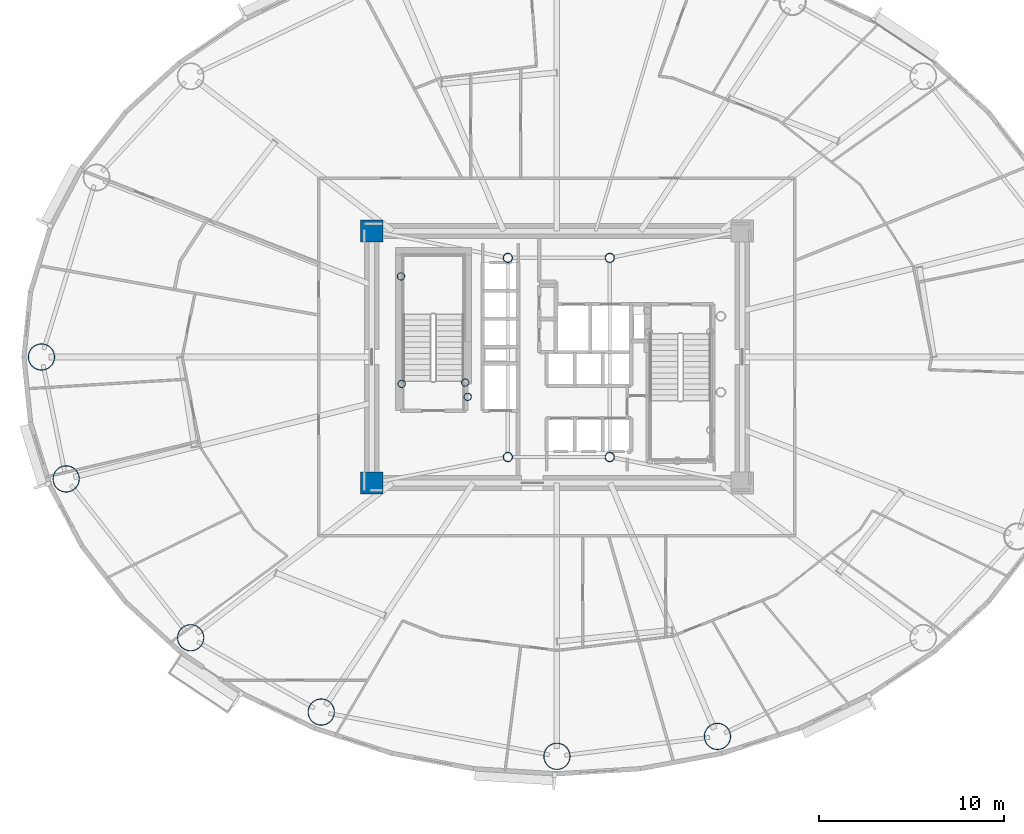
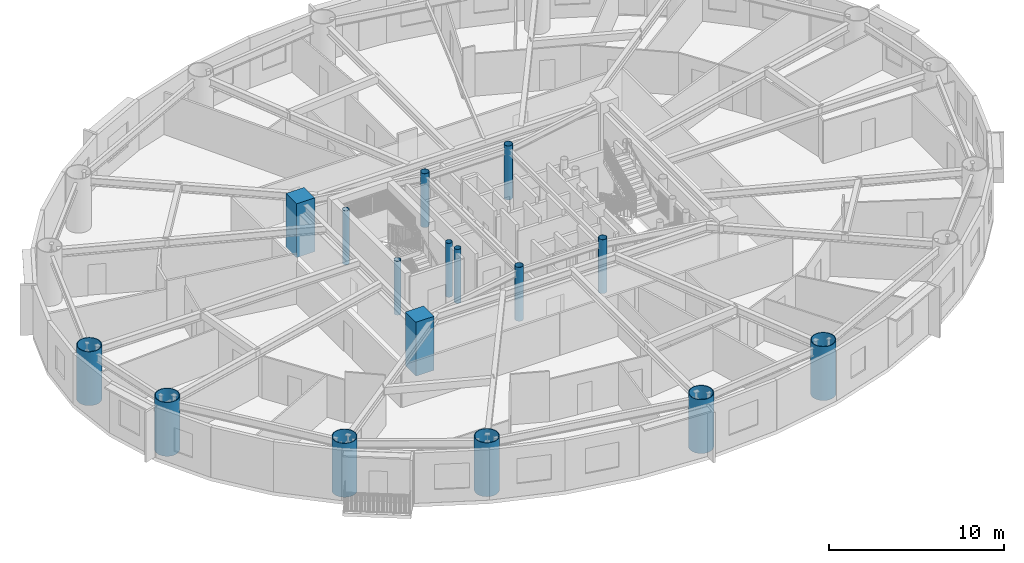
# One storey, part 1 of 22: 16 columns.
"""IFC4 building model written with IfcOpenShell, lengths in metres."""

from ifc_helpers import new_model, si_unit, direction, frame, origin, origin_2d, place, context, subcontext, project, spatial, rectangle, hollow_circle, extrude, material, material_profile, profile_set, type_object, element, save


model = new_model("IFC4")

# Units and contexts
model_context = context("Model", 3, precision=1e-05, world=origin(), true_north=direction((0.0, 1.0)))
body_context = subcontext(model_context, "Body", "Model", "MODEL_VIEW")
ifc_project = project(units=[si_unit("LENGTHUNIT", "METRE"), si_unit("AREAUNIT", "SQUARE_METRE"), si_unit("VOLUMEUNIT", "CUBIC_METRE"), si_unit("PLANEANGLEUNIT", "RADIAN"), si_unit("MASSUNIT", "GRAM", prefix="KILO")], contexts=[model_context])

# Site, building, storey
site_placement = place(None, origin())
site = spatial("IfcSite", under=ifc_project, at=site_placement, CompositionType="ELEMENT")
building_placement = place(site_placement, origin())
building = spatial("IfcBuilding", under=site, at=building_placement, Name="Linh Dai School and Residence Tower", CompositionType="ELEMENT")
storey_placement = place(building_placement, frame((0.0, 0.0, 130.949951171875)))
storey = spatial("IfcBuildingStorey", under=building, at=storey_placement, Name="L31", CompositionType="ELEMENT", Elevation=130.949951171875)

# Columns
ifc_material_1 = material(Name="Concrete B60 (C50/60)", Category="concrete")
ifc_material_profile_1 = material_profile(ifc_material_1, rectangle(XDim=1.199951171875, YDim=1.199951171875, at=origin_2d()), Name="RC 1200x1200")
ifc_profile_set_1 = profile_set([ifc_material_profile_1], Name="Concrete B60 (C50/60)")
column_type_1 = type_object("IfcColumnType", Name="COL-CC2", PredefinedType="COLUMN", material=ifc_profile_set_1)
for number, where, z_axis, x_axis, name in (
    (1, (26.0, 20.199951171875, 0.0), (0.0, 0.0, 1.0), (1.0, 0.0, 0.0), "L31 Core Corner Pier CC1"),
    (2, (26.0, 33.800048828125, 0.0), (0.0, 0.0, 1.0), (1.0, 0.0, 0.0), "L31 Core Corner Pier CC4"),
):
    element("IfcColumn", number, at=place(storey_placement, frame(where, z_axis=z_axis, x_axis=x_axis)), inside=storey, type_object=column_type_1, Name=name, PredefinedType="COLUMN", context=body_context, shape_type="SweptSolid", body=[
        extrude(rectangle(XDim=1.199951171875, YDim=1.199951171875, at=origin_2d()), origin(), (0.0, 0.0, 1.0), 3.75),
    ])
ifc_material_2 = material(Name="Structural Steel S355JR", Category="steel")
ifc_material_profile_2 = material_profile(ifc_material_2, hollow_circle(Radius=0.203125, WallThickness=0.01611328125, at=origin_2d()), Name="CHS 406.4x16")
ifc_profile_set_2 = profile_set([ifc_material_profile_2], Name="Structural Steel S355JR")
column_type_2 = type_object("IfcColumnType", Name="COL-EC", PredefinedType="COLUMN", material=ifc_profile_set_2)
for number, where, z_axis, x_axis, name in (
    (3, (27.580078125, 31.35009765625, 0.0), (0.0, 0.0, 1.0), (1.0, 0.0, 0.0), "L31 Stair Shaft Landing Support Pier ST1NW"),
    (4, (31.050048828125, 25.6201171875, 0.0), (0.0, 0.0, 1.0), (1.0, 0.0, 0.0), "L31 Stair Shaft Landing Support Pier ST1SE"),
    (5, (31.179931640625, 24.85009765625, 0.0), (0.0, 0.0, 1.0), (1.0, 0.0, 0.0), "L31 Stair Shaft Landing Support Pier ST1SM"),
    (6, (27.6201171875, 25.550048828125, 0.0), (0.0, 0.0, 1.0), (1.0, 0.0, 0.0), "L31 Stair Shaft Landing Support Pier ST1SW"),
):
    element("IfcColumn", number, at=place(storey_placement, frame(where, z_axis=z_axis, x_axis=x_axis)), inside=storey, type_object=column_type_2, Name=name, PredefinedType="COLUMN", context=body_context, shape_type="SweptSolid", body=[
        extrude(hollow_circle(Radius=0.203125, WallThickness=0.01611328125, at=origin_2d()), origin(), (0.0, 0.0, 1.0), 3.75),
    ])
ifc_material_profile_3 = material_profile(ifc_material_2, hollow_circle(Radius=0.72509765625, WallThickness=0.0419921875, at=origin_2d()), Name="CHS 1450x42")
ifc_profile_set_3 = profile_set([ifc_material_profile_3], Name="Structural Steel S355JR")
column_type_3 = type_object("IfcColumnType", Name="COL-MC3", PredefinedType="COLUMN", material=ifc_profile_set_3)
for number, where, z_axis, x_axis, name in (
    (7, (8.175048828125, 27.0, 0.0), (0.0, 0.0, 1.0), (1.0, 0.0, 0.0), "L31 Perimeter CFT Mega-Column MC09"),
    (8, (9.50732421875, 20.4189453125, 0.0), (0.0, 0.0, 1.0), (1.0, 0.0, 0.0), "L31 Perimeter CFT Mega-Column MC10"),
    (9, (16.227294921875, 11.844482421875, 0.0), (0.0, 0.0, 1.0), (1.0, 0.0, 0.0), "L31 Perimeter CFT Mega-Column MC11"),
    (10, (23.278076171875, 7.8349609375, 0.0), (0.0, 0.0, 1.0), (1.0, 0.0, 0.0), "L31 Perimeter CFT Mega-Column MC12"),
    (11, (36.0, 5.445068359375, 0.0), (0.0, 0.0, 1.0), (1.0, 0.0, 0.0), "L31 Perimeter CFT Mega-Column MC13"),
    (12, (44.66552734375, 6.519287109375, 0.0), (0.0, 0.0, 1.0), (1.0, 0.0, 0.0), "L31 Perimeter CFT Mega-Column MC14"),
):
    element("IfcColumn", number, at=place(storey_placement, frame(where, z_axis=z_axis, x_axis=x_axis)), inside=storey, type_object=column_type_3, Name=name, PredefinedType="COLUMN", context=body_context, shape_type="SweptSolid", body=[
        extrude(hollow_circle(Radius=0.72509765625, WallThickness=0.0419921875, at=origin_2d()), origin(), (0.0, 0.0, 1.0), 3.75),
    ])
ifc_material_profile_4 = material_profile(ifc_material_2, hollow_circle(Radius=0.25390625, WallThickness=0.02001953125, at=origin_2d()), Name="CHS 508x20")
ifc_profile_set_4 = profile_set([ifc_material_profile_4], Name="Structural Steel S355JR")
column_type_4 = type_object("IfcColumnType", Name="COL-MCP", PredefinedType="COLUMN", material=ifc_profile_set_4)
for number, where, z_axis, x_axis, name in (
    (13, (33.35009765625, 21.60009765625, 0.0), (0.0, 0.0, 1.0), (1.0, 0.0, 0.0), "L31 Core Mast Support Pier MCP1"),
    (14, (38.85009765625, 21.60009765625, 0.0), (0.0, 0.0, 1.0), (1.0, 0.0, 0.0), "L31 Core Mast Support Pier MCP2"),
    (15, (38.85009765625, 32.35009765625, 0.0), (0.0, 0.0, 1.0), (1.0, 0.0, 0.0), "L31 Core Mast Support Pier MCP3"),
    (16, (33.35009765625, 32.35009765625, 0.0), (0.0, 0.0, 1.0), (1.0, 0.0, 0.0), "L31 Core Mast Support Pier MCP4"),
):
    element("IfcColumn", number, at=place(storey_placement, frame(where, z_axis=z_axis, x_axis=x_axis)), inside=storey, type_object=column_type_4, Name=name, PredefinedType="COLUMN", context=body_context, shape_type="SweptSolid", body=[
        extrude(hollow_circle(Radius=0.25390625, WallThickness=0.02001953125, at=origin_2d()), origin(), (0.0, 0.0, 1.0), 3.75),
    ])

save(model, "model.ifc")
